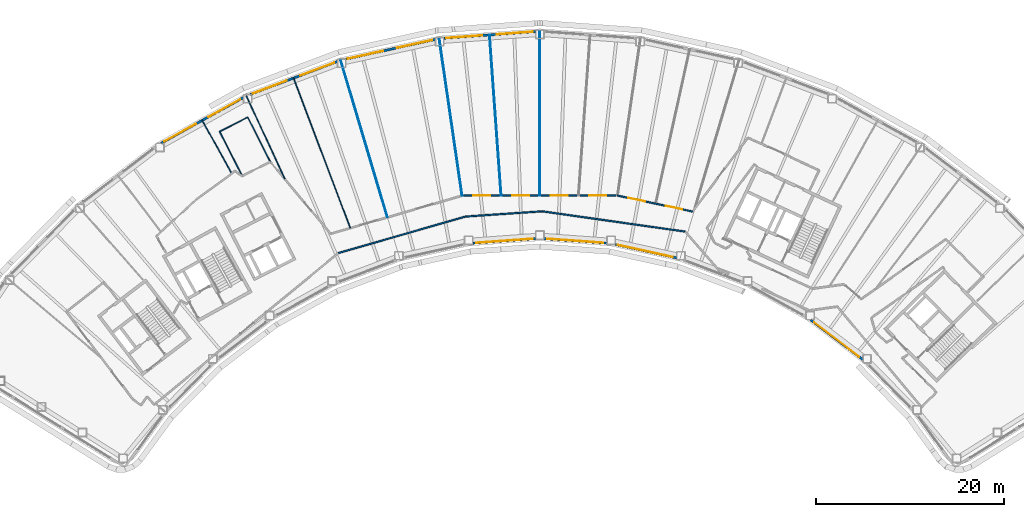
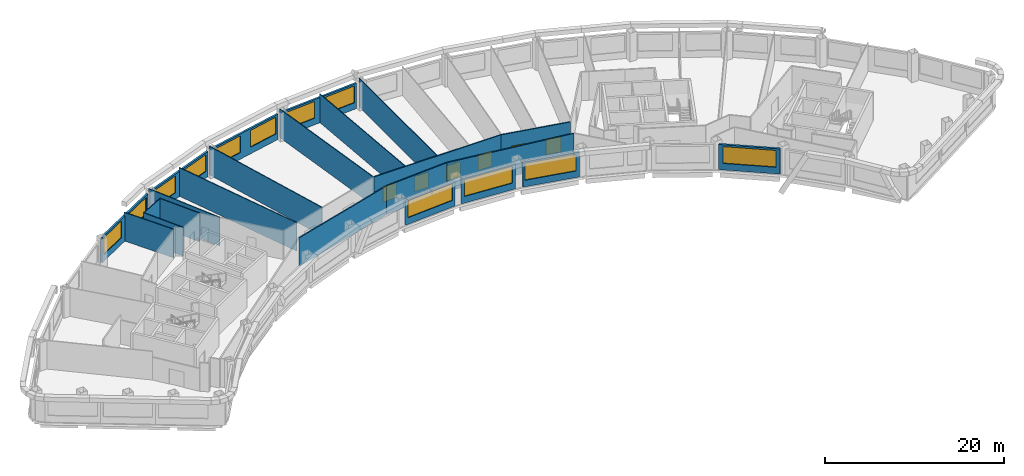
# One storey, part 7 of 14: 23 walls, 12 windows, 6 doors, 18 openings.
"""IFC4 building model written with IfcOpenShell, lengths in metres."""

from ifc_helpers import new_model, si_unit, direction, frame, frame_2d, origin, place, context, subcontext, project, spatial, rectangle, extrude, material, layer, layer_set, type_object, element, fill, save


model = new_model("IFC4")

# Units and contexts
model_context = context("Model", 3, precision=1e-05, world=origin(), true_north=direction((0.0, 1.0)))
body_context = subcontext(model_context, "Body", "Model", "MODEL_VIEW")
ifc_project = project(units=[si_unit("LENGTHUNIT", "METRE"), si_unit("AREAUNIT", "SQUARE_METRE"), si_unit("VOLUMEUNIT", "CUBIC_METRE"), si_unit("PLANEANGLEUNIT", "RADIAN"), si_unit("MASSUNIT", "GRAM", prefix="KILO")], contexts=[model_context])

# Site, building, storey
site_placement = place(None, origin())
site = spatial("IfcSite", under=ifc_project, at=site_placement, CompositionType="ELEMENT")
building_placement = place(site_placement, origin())
building = spatial("IfcBuilding", under=site, at=building_placement, Name="Tuul Gate Civic Tower", CompositionType="ELEMENT")
storey_placement = place(building_placement, frame((0.0, 0.0, 213.699951171875)))
storey = spatial("IfcBuildingStorey", under=building, at=storey_placement, Name="Level 48", CompositionType="ELEMENT", Elevation=213.699951171875)

# Wall, openings, doors
ifc_material_1 = material(Name="Gypsum board partition")
ifc_layer_1 = layer(ifc_material_1, 0.14990234375)
ifc_layer_set_1 = layer_set([ifc_layer_1], Name="Gypsum board partition")
wall_type_1 = type_object("IfcWallType", Name="Corridor wall P150", PredefinedType="PARTITIONING", material=ifc_layer_set_1)
wall_1_placement = place(storey_placement, frame((14.160400390625, 1.426513671875, 0.0), z_axis=(0.0, 0.0, 1.0), x_axis=(0.978230636286, -0.207520654953, 0.0)))
wall_1 = element("IfcWall", 1, at=wall_1_placement, inside=storey, type_object=wall_type_1, Name="p028", PredefinedType="PARTITIONING", context=body_context, shape_type="SweptSolid", body=[
    extrude(rectangle(XDim=8.1787109375, YDim=0.14990234375, at=frame_2d((4.08935546875, 0.0))), origin(), (0.0, 0.0, 1.0), 3.900146484375),
])
opening_1_placement = place(wall_1_placement, frame((5.283447265625, 0.0, 0.0)))
opening_1 = element("IfcOpeningElement", 2, at=opening_1_placement, cuts=wall_1, Name="Opening Q-D07", PredefinedType="OPENING", context=body_context, shape_type="SweptSolid", body=[
    extrude(rectangle(XDim=1.800048828125, YDim=2.10009765625, at=frame_2d((0.89990234375, 1.050048828125))), frame((0.0, 0.0849609375, 0.0), z_axis=(0.0, -1.0, 0.0), x_axis=(1.0, 0.0, 0.0)), (0.0, 0.0, 1.0), 0.169921875),
])
opening_2_placement = place(wall_1_placement, frame((1.216552734375, 0.0, 0.0)))
opening_2 = element("IfcOpeningElement", 3, at=opening_2_placement, cuts=wall_1, Name="Opening Q-D08", PredefinedType="OPENING", context=body_context, shape_type="SweptSolid", body=[
    extrude(rectangle(XDim=1.800048828125, YDim=2.10009765625, at=frame_2d((0.89990234375, 1.050048828125))), frame((0.0, 0.0849609375, 0.0), z_axis=(0.0, -1.0, 0.0), x_axis=(1.0, 0.0, 0.0)), (0.0, 0.0, 1.0), 0.169921875),
])
ifc_material_2 = material(Name="Timber door leaf, double", Category="wood")
door_type = type_object("IfcDoorType", Name="Door D18", OperationType="DOUBLE_DOOR_SINGLE_SWING", PredefinedType="DOOR", material=ifc_material_2)
door_1_placement = place(opening_1_placement, origin())
door_1 = element("IfcDoor", 4, at=door_1_placement, inside=storey, type_object=door_type, Name="Door Q-D07", OperationType="DOUBLE_DOOR_SINGLE_SWING", OverallHeight=2.10009765625, OverallWidth=1.800048828125, PredefinedType="DOOR", context=body_context, shape_type="SweptSolid", body=[
    extrude(rectangle(XDim=1.800048828125, YDim=2.10009765625, at=frame_2d((0.89990234375, 1.050048828125))), frame((0.0, 0.02490234375, 0.0), z_axis=(0.0, -1.0, 0.0), x_axis=(1.0, 0.0, 0.0)), (0.0, 0.0, 1.0), 0.050048828125),
])
fill(opening_1, door_1)
door_2_placement = place(opening_2_placement, origin())
door_2 = element("IfcDoor", 5, at=door_2_placement, inside=storey, type_object=door_type, Name="Door Q-D08", OperationType="DOUBLE_DOOR_SINGLE_SWING", OverallHeight=2.10009765625, OverallWidth=1.800048828125, PredefinedType="DOOR", context=body_context, shape_type="SweptSolid", body=[
    extrude(rectangle(XDim=1.800048828125, YDim=2.10009765625, at=frame_2d((0.89990234375, 1.050048828125))), frame((0.0, 0.02490234375, 0.0), z_axis=(0.0, -1.0, 0.0), x_axis=(1.0, 0.0, 0.0)), (0.0, 0.0, 1.0), 0.050048828125),
])
fill(opening_2, door_2)

wall_2_placement = place(storey_placement, frame((-2.283203125, 1.4267578125, 0.0), z_axis=(0.0, 0.0, 1.0), x_axis=(1.0, 0.0, 0.0)))
wall_2 = element("IfcWall", 6, at=wall_2_placement, inside=storey, type_object=wall_type_1, Name="p031", PredefinedType="PARTITIONING", context=body_context, shape_type="SweptSolid", body=[
    extrude(rectangle(XDim=16.4423828125, YDim=0.14990234375, at=frame_2d((8.22119140625, 0.0))), origin(), (0.0, 0.0, 1.0), 3.900146484375),
])
opening_3_placement = place(wall_2_placement, frame((13.48828125, 0.0, 0.0)))
opening_3 = element("IfcOpeningElement", 7, at=opening_3_placement, cuts=wall_2, Name="Opening Q-D09", PredefinedType="OPENING", context=body_context, shape_type="SweptSolid", body=[
    extrude(rectangle(XDim=1.800048828125, YDim=2.10009765625, at=frame_2d((0.89990234375, 1.050048828125))), frame((0.0, 0.0849609375, 0.0), z_axis=(0.0, -1.0, 0.0), x_axis=(1.0, 0.0, 0.0)), (0.0, 0.0, 1.0), 0.169921875),
])
opening_4_placement = place(wall_2_placement, frame((9.378662109375, 0.0, 0.0)))
opening_4 = element("IfcOpeningElement", 8, at=opening_4_placement, cuts=wall_2, Name="Opening Q-D10", PredefinedType="OPENING", context=body_context, shape_type="SweptSolid", body=[
    extrude(rectangle(XDim=1.800048828125, YDim=2.10009765625, at=frame_2d((0.89990234375, 1.050048828125))), frame((0.0, 0.0849609375, 0.0), z_axis=(0.0, -1.0, 0.0), x_axis=(1.0, 0.0, 0.0)), (0.0, 0.0, 1.0), 0.169921875),
])
opening_5_placement = place(wall_2_placement, frame((5.267333984375, 0.0, 0.0)))
opening_5 = element("IfcOpeningElement", 9, at=opening_5_placement, cuts=wall_2, Name="Opening Q-D11", PredefinedType="OPENING", context=body_context, shape_type="SweptSolid", body=[
    extrude(rectangle(XDim=1.800048828125, YDim=2.10009765625, at=frame_2d((0.89990234375, 1.050048828125))), frame((0.0, 0.0849609375, 0.0), z_axis=(0.0, -1.0, 0.0), x_axis=(1.0, 0.0, 0.0)), (0.0, 0.0, 1.0), 0.169921875),
])
opening_6_placement = place(wall_2_placement, frame((1.15576171875, 0.0, 0.0)))
opening_6 = element("IfcOpeningElement", 10, at=opening_6_placement, cuts=wall_2, Name="Opening Q-D12", PredefinedType="OPENING", context=body_context, shape_type="SweptSolid", body=[
    extrude(rectangle(XDim=1.800048828125, YDim=2.10009765625, at=frame_2d((0.89990234375, 1.050048828125))), frame((0.0, 0.0849609375, 0.0), z_axis=(0.0, -1.0, 0.0), x_axis=(1.0, 0.0, 0.0)), (0.0, 0.0, 1.0), 0.169921875),
])
door_3_placement = place(opening_3_placement, origin())
door_3 = element("IfcDoor", 11, at=door_3_placement, inside=storey, type_object=door_type, Name="Door Q-D09", OperationType="DOUBLE_DOOR_SINGLE_SWING", OverallHeight=2.10009765625, OverallWidth=1.800048828125, PredefinedType="DOOR", context=body_context, shape_type="SweptSolid", body=[
    extrude(rectangle(XDim=1.800048828125, YDim=2.10009765625, at=frame_2d((0.89990234375, 1.050048828125))), frame((0.0, 0.02490234375, 0.0), z_axis=(0.0, -1.0, 0.0), x_axis=(1.0, 0.0, 0.0)), (0.0, 0.0, 1.0), 0.050048828125),
])
fill(opening_3, door_3)
door_4_placement = place(opening_4_placement, origin())
door_4 = element("IfcDoor", 12, at=door_4_placement, inside=storey, type_object=door_type, Name="Door Q-D10", OperationType="DOUBLE_DOOR_SINGLE_SWING", OverallHeight=2.10009765625, OverallWidth=1.800048828125, PredefinedType="DOOR", context=body_context, shape_type="SweptSolid", body=[
    extrude(rectangle(XDim=1.800048828125, YDim=2.10009765625, at=frame_2d((0.89990234375, 1.050048828125))), frame((0.0, 0.02490234375, 0.0), z_axis=(0.0, -1.0, 0.0), x_axis=(1.0, 0.0, 0.0)), (0.0, 0.0, 1.0), 0.050048828125),
])
fill(opening_4, door_4)
door_5_placement = place(opening_5_placement, origin())
door_5 = element("IfcDoor", 13, at=door_5_placement, inside=storey, type_object=door_type, Name="Door Q-D11", OperationType="DOUBLE_DOOR_SINGLE_SWING", OverallHeight=2.10009765625, OverallWidth=1.800048828125, PredefinedType="DOOR", context=body_context, shape_type="SweptSolid", body=[
    extrude(rectangle(XDim=1.800048828125, YDim=2.10009765625, at=frame_2d((0.89990234375, 1.050048828125))), frame((0.0, 0.02490234375, 0.0), z_axis=(0.0, -1.0, 0.0), x_axis=(1.0, 0.0, 0.0)), (0.0, 0.0, 1.0), 0.050048828125),
])
fill(opening_5, door_5)
door_6_placement = place(opening_6_placement, origin())
door_6 = element("IfcDoor", 14, at=door_6_placement, inside=storey, type_object=door_type, Name="Door Q-D12", OperationType="DOUBLE_DOOR_SINGLE_SWING", OverallHeight=2.10009765625, OverallWidth=1.800048828125, PredefinedType="DOOR", context=body_context, shape_type="SweptSolid", body=[
    extrude(rectangle(XDim=1.800048828125, YDim=2.10009765625, at=frame_2d((0.89990234375, 1.050048828125))), frame((0.0, 0.02490234375, 0.0), z_axis=(0.0, -1.0, 0.0), x_axis=(1.0, 0.0, 0.0)), (0.0, 0.0, 1.0), 0.050048828125),
])
fill(opening_6, door_6)

# Walls
wall_3_placement = place(storey_placement, frame((-15.473876953125, -4.677734375, 0.0), z_axis=(0.0, 0.0, 1.0), x_axis=(0.961325077695, 0.27541622137, 0.0)))
element("IfcWall", 15, at=wall_3_placement, inside=storey, type_object=wall_type_1, Name="p067", PredefinedType="PARTITIONING", context=body_context, shape_type="SweptSolid", body=[
    extrude(rectangle(XDim=14.054443359375, YDim=0.14990234375, at=frame_2d((7.02734375, 0.0))), origin(), (0.0, 0.0, 1.0), 3.900146484375),
])
wall_4_placement = place(storey_placement, frame((-1.958740234375, -0.806396484375, 0.0), z_axis=(0.0, 0.0, 1.0), x_axis=(0.997683784998, 0.068022534144, 0.0)))
element("IfcWall", 16, at=wall_4_placement, inside=storey, type_object=wall_type_1, Name="p068", PredefinedType="PARTITIONING", context=body_context, shape_type="SweptSolid", body=[
    extrude(rectangle(XDim=8.157958984375, YDim=0.14990234375, at=frame_2d((4.0791015625, 0.0))), origin(), (0.0, 0.0, 1.0), 3.900146484375),
])
wall_5_placement = place(storey_placement, frame((6.1845703125, -0.251708984375, 0.0), z_axis=(0.0, 0.0, 1.0), x_axis=(0.990098741202, -0.140372656418, 0.0)))
element("IfcWall", 17, at=wall_5_placement, inside=storey, type_object=wall_type_1, Name="p069", PredefinedType="PARTITIONING", context=body_context, shape_type="SweptSolid", body=[
    extrude(rectangle(XDim=15.352294921875, YDim=0.14990234375, at=frame_2d((7.67626953125, 0.0))), origin(), (0.0, 0.0, 1.0), 3.900146484375),
])

# Wall, openings, windows
ifc_material_3 = material(Name="Precast concrete C40/50", Category="concrete")
ifc_layer_2 = layer(ifc_material_3, 0.25)
ifc_layer_set_2 = layer_set([ifc_layer_2], Name="Precast concrete C40/50")
wall_type_2 = type_object("IfcWallType", Name="External wall", PredefinedType="STANDARD", material=ifc_layer_set_2)
wall_6_placement = place(storey_placement, frame((5.489990234375, 18.859130859375, 0.0), z_axis=(0.0, 0.0, 1.0), x_axis=(-0.997381037504, -0.07232610889, 0.0)))
wall_6 = element("IfcWall", 18, at=wall_6_placement, inside=storey, type_object=wall_type_2, Name="External wall", PredefinedType="STANDARD", context=body_context, shape_type="SweptSolid", body=[
    extrude(rectangle(XDim=9.775634765625, YDim=0.25, at=frame_2d((4.8876953125, 0.0))), origin(), (0.0, 0.0, 1.0), 3.449951171875),
])
opening_7_placement = place(wall_6_placement, frame((0.300537109375, 0.0, 0.89990234375)))
opening_7 = element("IfcOpeningElement", 19, at=opening_7_placement, cuts=wall_6, Name="Opening W22", PredefinedType="OPENING", context=body_context, shape_type="SweptSolid", body=[
    extrude(rectangle(XDim=3.85009765625, YDim=2.300048828125, at=frame_2d((1.925048828125, 1.14990234375))), frame((0.0, 0.135009765625, 0.0), z_axis=(0.0, -1.0, 0.0), x_axis=(1.0, 0.0, 0.0)), (0.0, 0.0, 1.0), 0.27001953125),
])
opening_8_placement = place(wall_6_placement, frame((5.672119140625, 0.0, 0.89990234375)))
opening_8 = element("IfcOpeningElement", 20, at=opening_8_placement, cuts=wall_6, Name="Opening W22", PredefinedType="OPENING", context=body_context, shape_type="SweptSolid", body=[
    extrude(rectangle(XDim=3.85009765625, YDim=2.300048828125, at=frame_2d((1.925048828125, 1.14990234375))), frame((0.0, 0.135009765625, 0.0), z_axis=(0.0, -1.0, 0.0), x_axis=(1.0, 0.0, 0.0)), (0.0, 0.0, 1.0), 0.27001953125),
])
ifc_material_4 = material(Name="Glass", Category="glass")
window_type_1 = type_object("IfcWindowType", Name="Window W22 3850 x 2300", PartitioningType="SINGLE_PANEL", PredefinedType="WINDOW", material=ifc_material_4)
window_1_placement = place(opening_7_placement, origin())
window_1 = element("IfcWindow", 21, at=window_1_placement, inside=storey, type_object=window_type_1, Name="Window", OverallHeight=2.300048828125, OverallWidth=3.85009765625, PartitioningType="SINGLE_PANEL", PredefinedType="WINDOW", context=body_context, shape_type="SweptSolid", body=[
    extrude(rectangle(XDim=3.85009765625, YDim=2.300048828125, at=frame_2d((1.925048828125, 1.14990234375))), frame((0.0, 0.030029296875, 0.0), z_axis=(0.0, -1.0, 0.0), x_axis=(1.0, 0.0, 0.0)), (0.0, 0.0, 1.0), 0.06005859375),
])
fill(opening_7, window_1)
window_2_placement = place(opening_8_placement, origin())
window_2 = element("IfcWindow", 22, at=window_2_placement, inside=storey, type_object=window_type_1, Name="Window", OverallHeight=2.300048828125, OverallWidth=3.85009765625, PartitioningType="SINGLE_PANEL", PredefinedType="WINDOW", context=body_context, shape_type="SweptSolid", body=[
    extrude(rectangle(XDim=3.85009765625, YDim=2.300048828125, at=frame_2d((1.925048828125, 1.14990234375))), frame((0.0, 0.030029296875, 0.0), z_axis=(0.0, -1.0, 0.0), x_axis=(1.0, 0.0, 0.0)), (0.0, 0.0, 1.0), 0.06005859375),
])
fill(opening_8, window_2)

wall_7_placement = place(storey_placement, frame((-5.159912109375, 18.027099609375, 0.0), z_axis=(0.0, 0.0, 1.0), x_axis=(-0.976565945411, -0.215218387375, 0.0)))
wall_7 = element("IfcWall", 23, at=wall_7_placement, inside=storey, type_object=wall_type_2, Name="External wall", PredefinedType="STANDARD", context=body_context, shape_type="SweptSolid", body=[
    extrude(rectangle(XDim=9.755615234375, YDim=0.25, at=frame_2d((4.8779296875, 0.0))), origin(), (0.0, 0.0, 1.0), 3.449951171875),
])
opening_9_placement = place(wall_7_placement, frame((0.3388671875, 0.0, 0.89990234375)))
opening_9 = element("IfcOpeningElement", 24, at=opening_9_placement, cuts=wall_7, Name="Opening W22", PredefinedType="OPENING", context=body_context, shape_type="SweptSolid", body=[
    extrude(rectangle(XDim=3.85009765625, YDim=2.300048828125, at=frame_2d((1.925048828125, 1.14990234375))), frame((0.0, 0.135009765625, 0.0), z_axis=(0.0, -1.0, 0.0), x_axis=(1.0, 0.0, 0.0)), (0.0, 0.0, 1.0), 0.27001953125),
])
opening_10_placement = place(wall_7_placement, frame((5.710205078125, 0.0, 0.89990234375)))
opening_10 = element("IfcOpeningElement", 25, at=opening_10_placement, cuts=wall_7, Name="Opening W22", PredefinedType="OPENING", context=body_context, shape_type="SweptSolid", body=[
    extrude(rectangle(XDim=3.85009765625, YDim=2.300048828125, at=frame_2d((1.925048828125, 1.14990234375))), frame((0.0, 0.135009765625, 0.0), z_axis=(0.0, -1.0, 0.0), x_axis=(1.0, 0.0, 0.0)), (0.0, 0.0, 1.0), 0.27001953125),
])
window_3_placement = place(opening_9_placement, origin())
window_3 = element("IfcWindow", 26, at=window_3_placement, inside=storey, type_object=window_type_1, Name="Window", OverallHeight=2.300048828125, OverallWidth=3.85009765625, PartitioningType="SINGLE_PANEL", PredefinedType="WINDOW", context=body_context, shape_type="SweptSolid", body=[
    extrude(rectangle(XDim=3.85009765625, YDim=2.300048828125, at=frame_2d((1.925048828125, 1.14990234375))), frame((0.0, 0.030029296875, 0.0), z_axis=(0.0, -1.0, 0.0), x_axis=(1.0, 0.0, 0.0)), (0.0, 0.0, 1.0), 0.06005859375),
])
fill(opening_9, window_3)
window_4_placement = place(opening_10_placement, origin())
window_4 = element("IfcWindow", 27, at=window_4_placement, inside=storey, type_object=window_type_1, Name="Window", OverallHeight=2.300048828125, OverallWidth=3.85009765625, PartitioningType="SINGLE_PANEL", PredefinedType="WINDOW", context=body_context, shape_type="SweptSolid", body=[
    extrude(rectangle(XDim=3.85009765625, YDim=2.300048828125, at=frame_2d((1.925048828125, 1.14990234375))), frame((0.0, 0.030029296875, 0.0), z_axis=(0.0, -1.0, 0.0), x_axis=(1.0, 0.0, 0.0)), (0.0, 0.0, 1.0), 0.06005859375),
])
fill(opening_10, window_4)

wall_8_placement = place(storey_placement, frame((-15.5869140625, 15.673095703125, 0.0), z_axis=(0.0, 0.0, 1.0), x_axis=(-0.935372856453, -0.353663143981, 0.0)))
wall_8 = element("IfcWall", 28, at=wall_8_placement, inside=storey, type_object=wall_type_2, Name="External wall", PredefinedType="STANDARD", context=body_context, shape_type="SweptSolid", body=[
    extrude(rectangle(XDim=9.908203125, YDim=0.25, at=frame_2d((4.9541015625, 0.0))), origin(), (0.0, 0.0, 1.0), 3.449951171875),
])
opening_11_placement = place(wall_8_placement, frame((0.3701171875, 0.0, 0.89990234375)))
opening_11 = element("IfcOpeningElement", 29, at=opening_11_placement, cuts=wall_8, Name="Opening W22", PredefinedType="OPENING", context=body_context, shape_type="SweptSolid", body=[
    extrude(rectangle(XDim=3.85009765625, YDim=2.300048828125, at=frame_2d((1.925048828125, 1.14990234375))), frame((0.0, 0.135009765625, 0.0), z_axis=(0.0, -1.0, 0.0), x_axis=(1.0, 0.0, 0.0)), (0.0, 0.0, 1.0), 0.27001953125),
])
opening_12_placement = place(wall_8_placement, frame((5.7412109375, 0.0, 0.89990234375)))
opening_12 = element("IfcOpeningElement", 30, at=opening_12_placement, cuts=wall_8, Name="Opening W22", PredefinedType="OPENING", context=body_context, shape_type="SweptSolid", body=[
    extrude(rectangle(XDim=3.85009765625, YDim=2.300048828125, at=frame_2d((1.925048828125, 1.14990234375))), frame((0.0, 0.135009765625, 0.0), z_axis=(0.0, -1.0, 0.0), x_axis=(1.0, 0.0, 0.0)), (0.0, 0.0, 1.0), 0.27001953125),
])
window_5_placement = place(opening_11_placement, origin())
window_5 = element("IfcWindow", 31, at=window_5_placement, inside=storey, type_object=window_type_1, Name="Window", OverallHeight=2.300048828125, OverallWidth=3.85009765625, PartitioningType="SINGLE_PANEL", PredefinedType="WINDOW", context=body_context, shape_type="SweptSolid", body=[
    extrude(rectangle(XDim=3.85009765625, YDim=2.300048828125, at=frame_2d((1.925048828125, 1.14990234375))), frame((0.0, 0.030029296875, 0.0), z_axis=(0.0, -1.0, 0.0), x_axis=(1.0, 0.0, 0.0)), (0.0, 0.0, 1.0), 0.06005859375),
])
fill(opening_11, window_5)
window_6_placement = place(opening_12_placement, origin())
window_6 = element("IfcWindow", 32, at=window_6_placement, inside=storey, type_object=window_type_1, Name="Window", OverallHeight=2.300048828125, OverallWidth=3.85009765625, PartitioningType="SINGLE_PANEL", PredefinedType="WINDOW", context=body_context, shape_type="SweptSolid", body=[
    extrude(rectangle(XDim=3.85009765625, YDim=2.300048828125, at=frame_2d((1.925048828125, 1.14990234375))), frame((0.0, 0.030029296875, 0.0), z_axis=(0.0, -1.0, 0.0), x_axis=(1.0, 0.0, 0.0)), (0.0, 0.0, 1.0), 0.06005859375),
])
fill(opening_12, window_6)

wall_9_placement = place(storey_placement, frame((-25.573974609375, 11.842041015625, 0.0), z_axis=(0.0, 0.0, 1.0), x_axis=(-0.87460251425, -0.484840635743, 0.0)))
wall_9 = element("IfcWall", 33, at=wall_9_placement, inside=storey, type_object=wall_type_2, Name="External wall", PredefinedType="STANDARD", context=body_context, shape_type="SweptSolid", body=[
    extrude(rectangle(XDim=10.00146484375, YDim=0.25, at=frame_2d((5.000732421875, 0.0))), origin(), (0.0, 0.0, 1.0), 3.449951171875),
])
opening_13_placement = place(wall_9_placement, frame((0.393798828125, 0.0, 0.89990234375)))
opening_13 = element("IfcOpeningElement", 34, at=opening_13_placement, cuts=wall_9, Name="Opening W22", PredefinedType="OPENING", context=body_context, shape_type="SweptSolid", body=[
    extrude(rectangle(XDim=3.85009765625, YDim=2.300048828125, at=frame_2d((1.925048828125, 1.14990234375))), frame((0.0, 0.135009765625, 0.0), z_axis=(0.0, -1.0, 0.0), x_axis=(1.0, 0.0, 0.0)), (0.0, 0.0, 1.0), 0.27001953125),
])
opening_14_placement = place(wall_9_placement, frame((5.764892578125, 0.0, 0.89990234375)))
opening_14 = element("IfcOpeningElement", 35, at=opening_14_placement, cuts=wall_9, Name="Opening W22", PredefinedType="OPENING", context=body_context, shape_type="SweptSolid", body=[
    extrude(rectangle(XDim=3.85009765625, YDim=2.300048828125, at=frame_2d((1.925048828125, 1.14990234375))), frame((0.0, 0.135009765625, 0.0), z_axis=(0.0, -1.0, 0.0), x_axis=(1.0, 0.0, 0.0)), (0.0, 0.0, 1.0), 0.27001953125),
])
window_7_placement = place(opening_13_placement, origin())
window_7 = element("IfcWindow", 36, at=window_7_placement, inside=storey, type_object=window_type_1, Name="Window", OverallHeight=2.300048828125, OverallWidth=3.85009765625, PartitioningType="SINGLE_PANEL", PredefinedType="WINDOW", context=body_context, shape_type="SweptSolid", body=[
    extrude(rectangle(XDim=3.85009765625, YDim=2.300048828125, at=frame_2d((1.925048828125, 1.14990234375))), frame((0.0, 0.030029296875, 0.0), z_axis=(0.0, -1.0, 0.0), x_axis=(1.0, 0.0, 0.0)), (0.0, 0.0, 1.0), 0.06005859375),
])
fill(opening_13, window_7)
window_8_placement = place(opening_14_placement, origin())
window_8 = element("IfcWindow", 37, at=window_8_placement, inside=storey, type_object=window_type_1, Name="Window", OverallHeight=2.300048828125, OverallWidth=3.85009765625, PartitioningType="SINGLE_PANEL", PredefinedType="WINDOW", context=body_context, shape_type="SweptSolid", body=[
    extrude(rectangle(XDim=3.85009765625, YDim=2.300048828125, at=frame_2d((1.925048828125, 1.14990234375))), frame((0.0, 0.030029296875, 0.0), z_axis=(0.0, -1.0, 0.0), x_axis=(1.0, 0.0, 0.0)), (0.0, 0.0, 1.0), 0.06005859375),
])
fill(opening_14, window_8)

# Wall, opening, window
wall_10_placement = place(storey_placement, frame((-1.181884765625, -3.6318359375, 0.0), z_axis=(0.0, 0.0, 1.0), x_axis=(0.997393444125, 0.072154817002, 0.0)))
wall_10 = element("IfcWall", 38, at=wall_10_placement, inside=storey, type_object=wall_type_2, Name="External wall", PredefinedType="STANDARD", context=body_context, shape_type="SweptSolid", body=[
    extrude(rectangle(XDim=6.689208984375, YDim=0.25, at=frame_2d((3.3447265625, 0.0))), origin(), (0.0, 0.0, 1.0), 3.449951171875),
])
opening_15_placement = place(wall_10_placement, frame((0.3681640625, 0.0, 0.89990234375)))
opening_15 = element("IfcOpeningElement", 39, at=opening_15_placement, cuts=wall_10, Name="Opening W26", PredefinedType="OPENING", context=body_context, shape_type="SweptSolid", body=[
    extrude(rectangle(XDim=6.0, YDim=2.300048828125, at=frame_2d((3.0, 1.14990234375))), frame((0.0, 0.135009765625, 0.0), z_axis=(0.0, -1.0, 0.0), x_axis=(1.0, 0.0, 0.0)), (0.0, 0.0, 1.0), 0.27001953125),
])
ifc_material_5 = material(Name="Glass", Category="glass")
window_type_2 = type_object("IfcWindowType", Name="Window W26 6000 x 2300", PartitioningType="SINGLE_PANEL", PredefinedType="WINDOW", material=ifc_material_5)
window_9_placement = place(opening_15_placement, origin())
window_9 = element("IfcWindow", 40, at=window_9_placement, inside=storey, type_object=window_type_2, Name="Window", OverallHeight=2.300048828125, OverallWidth=6.0, PartitioningType="SINGLE_PANEL", PredefinedType="WINDOW", context=body_context, shape_type="SweptSolid", body=[
    extrude(rectangle(XDim=6.0, YDim=2.300048828125, at=frame_2d((3.0, 1.14990234375))), frame((0.0, 0.030029296875, 0.0), z_axis=(0.0, -1.0, 0.0), x_axis=(1.0, 0.0, 0.0)), (0.0, 0.0, 1.0), 0.06005859375),
])
fill(opening_15, window_9)

wall_11_placement = place(storey_placement, frame((6.389892578125, -3.149169921875, 0.0), z_axis=(0.0, 0.0, 1.0), x_axis=(0.99739363413, -0.072152190518, 0.0)))
wall_11 = element("IfcWall", 41, at=wall_11_placement, inside=storey, type_object=wall_type_2, Name="External wall", PredefinedType="STANDARD", context=body_context, shape_type="SweptSolid", body=[
    extrude(rectangle(XDim=6.689453125, YDim=0.25, at=frame_2d((3.3447265625, 0.0))), origin(), (0.0, 0.0, 1.0), 3.449951171875),
])
opening_16_placement = place(wall_11_placement, frame((0.3212890625, 0.0, 0.89990234375)))
opening_16 = element("IfcOpeningElement", 42, at=opening_16_placement, cuts=wall_11, Name="Opening W26", PredefinedType="OPENING", context=body_context, shape_type="SweptSolid", body=[
    extrude(rectangle(XDim=6.0, YDim=2.300048828125, at=frame_2d((3.0, 1.14990234375))), frame((0.0, 0.135009765625, 0.0), z_axis=(0.0, -1.0, 0.0), x_axis=(1.0, 0.0, 0.0)), (0.0, 0.0, 1.0), 0.27001953125),
])
window_10_placement = place(opening_16_placement, origin())
window_10 = element("IfcWindow", 43, at=window_10_placement, inside=storey, type_object=window_type_2, Name="Window", OverallHeight=2.300048828125, OverallWidth=6.0, PartitioningType="SINGLE_PANEL", PredefinedType="WINDOW", context=body_context, shape_type="SweptSolid", body=[
    extrude(rectangle(XDim=6.0, YDim=2.300048828125, at=frame_2d((3.0, 1.14990234375))), frame((0.0, 0.030029296875, 0.0), z_axis=(0.0, -1.0, 0.0), x_axis=(1.0, 0.0, 0.0)), (0.0, 0.0, 1.0), 0.06005859375),
])
fill(opening_16, window_10)

wall_12_placement = place(storey_placement, frame((13.9619140625, -3.7705078125, 0.0), z_axis=(0.0, 0.0, 1.0), x_axis=(0.976561126712, -0.215240251333, 0.0)))
wall_12 = element("IfcWall", 44, at=wall_12_placement, inside=storey, type_object=wall_type_2, Name="External wall", PredefinedType="STANDARD", context=body_context, shape_type="SweptSolid", body=[
    extrude(rectangle(XDim=6.66943359375, YDim=0.25, at=frame_2d((3.334716796875, 0.0))), origin(), (0.0, 0.0, 1.0), 3.449951171875),
])
opening_17_placement = place(wall_12_placement, frame((0.263427734375, 0.0, 0.89990234375)))
opening_17 = element("IfcOpeningElement", 45, at=opening_17_placement, cuts=wall_12, Name="Opening W26", PredefinedType="OPENING", context=body_context, shape_type="SweptSolid", body=[
    extrude(rectangle(XDim=6.0, YDim=2.300048828125, at=frame_2d((3.0, 1.14990234375))), frame((0.0, 0.135009765625, 0.0), z_axis=(0.0, -1.0, 0.0), x_axis=(1.0, 0.0, 0.0)), (0.0, 0.0, 1.0), 0.27001953125),
])
window_11_placement = place(opening_17_placement, origin())
window_11 = element("IfcWindow", 46, at=window_11_placement, inside=storey, type_object=window_type_2, Name="Window", OverallHeight=2.300048828125, OverallWidth=6.0, PartitioningType="SINGLE_PANEL", PredefinedType="WINDOW", context=body_context, shape_type="SweptSolid", body=[
    extrude(rectangle(XDim=6.0, YDim=2.300048828125, at=frame_2d((3.0, 1.14990234375))), frame((0.0, 0.030029296875, 0.0), z_axis=(0.0, -1.0, 0.0), x_axis=(1.0, 0.0, 0.0)), (0.0, 0.0, 1.0), 0.06005859375),
])
fill(opening_17, window_11)

wall_13_placement = place(storey_placement, frame((34.72216796875, -11.7890625, 0.0), z_axis=(0.0, 0.0, 1.0), x_axis=(0.795585585463, -0.605841213688, 0.0)))
wall_13 = element("IfcWall", 47, at=wall_13_placement, inside=storey, type_object=wall_type_2, Name="External wall", PredefinedType="STANDARD", context=body_context, shape_type="SweptSolid", body=[
    extrude(rectangle(XDim=6.955810546875, YDim=0.25, at=frame_2d((3.47802734375, 0.0))), origin(), (0.0, 0.0, 1.0), 3.449951171875),
])
opening_18_placement = place(wall_13_placement, frame((0.478759765625, 0.0, 0.89990234375)))
opening_18 = element("IfcOpeningElement", 48, at=opening_18_placement, cuts=wall_13, Name="Opening W26", PredefinedType="OPENING", context=body_context, shape_type="SweptSolid", body=[
    extrude(rectangle(XDim=6.0, YDim=2.300048828125, at=frame_2d((3.0, 1.14990234375))), frame((0.0, 0.135009765625, 0.0), z_axis=(0.0, -1.0, 0.0), x_axis=(1.0, 0.0, 0.0)), (0.0, 0.0, 1.0), 0.27001953125),
])
window_12_placement = place(opening_18_placement, origin())
window_12 = element("IfcWindow", 49, at=window_12_placement, inside=storey, type_object=window_type_2, Name="Window", OverallHeight=2.300048828125, OverallWidth=6.0, PartitioningType="SINGLE_PANEL", PredefinedType="WINDOW", context=body_context, shape_type="SweptSolid", body=[
    extrude(rectangle(XDim=6.0, YDim=2.300048828125, at=frame_2d((3.0, 1.14990234375))), frame((0.0, 0.030029296875, 0.0), z_axis=(0.0, -1.0, 0.0), x_axis=(1.0, 0.0, 0.0)), (0.0, 0.0, 1.0), 0.06005859375),
])
fill(opening_18, window_12)

# Walls
ifc_material_6 = material(Name="Gypsum board partition")
ifc_layer_3 = layer(ifc_material_6, 0.10009765625)
ifc_layer_set_3 = layer_set([ifc_layer_3], Name="Gypsum board partition")
wall_type_3 = type_object("IfcWallType", Name="Partition P100", PredefinedType="PARTITIONING", material=ifc_layer_set_3)
wall_14_placement = place(storey_placement, frame((5.939697265625, 1.4267578125, 0.0), z_axis=(0.0, 0.0, 1.0), x_axis=(0.0, 1.0, 0.0)))
element("IfcWall", 50, at=wall_14_placement, inside=storey, type_object=wall_type_3, Name="p032", PredefinedType="PARTITIONING", context=body_context, shape_type="SweptSolid", body=[
    extrude(rectangle(XDim=17.469970703125, YDim=0.10009765625, at=frame_2d((8.73486328125, 0.0))), origin(), (0.0, 0.0, 1.0), 3.900146484375),
])
wall_15_placement = place(storey_placement, frame((0.591064453125, 18.5087890625, 0.0), z_axis=(0.0, 0.0, 1.0), x_axis=(0.072243844527, -0.997386999578, 0.0)))
element("IfcWall", 51, at=wall_15_placement, inside=storey, type_object=wall_type_3, Name="p033", PredefinedType="PARTITIONING", context=body_context, shape_type="SweptSolid", body=[
    extrude(rectangle(XDim=17.126708984375, YDim=0.10009765625, at=frame_2d((8.5634765625, 0.0))), origin(), (0.0, 0.0, 1.0), 3.900146484375),
])
wall_16_placement = place(storey_placement, frame((-4.75732421875, 18.12109375, 0.0), z_axis=(0.0, 0.0, 1.0), x_axis=(0.144107467167, -0.989562043485, 0.0)))
element("IfcWall", 52, at=wall_16_placement, inside=storey, type_object=wall_type_3, Name="p034", PredefinedType="PARTITIONING", context=body_context, shape_type="SweptSolid", body=[
    extrude(rectangle(XDim=16.88232421875, YDim=0.10009765625, at=frame_2d((8.441162109375, 0.0))), origin(), (0.0, 0.0, 1.0), 3.900146484375),
])
wall_17_placement = place(storey_placement, frame((-15.231201171875, 15.812744140625, 0.0), z_axis=(0.0, 0.0, 1.0), x_axis=(0.285206858577, -0.958465986783, 0.0)))
element("IfcWall", 53, at=wall_17_placement, inside=storey, type_object=wall_type_3, Name="p036", PredefinedType="PARTITIONING", context=body_context, shape_type="SweptSolid", body=[
    extrude(rectangle(XDim=17.424072265625, YDim=0.10009765625, at=frame_2d((8.7119140625, 0.0))), origin(), (0.0, 0.0, 1.0), 3.900146484375),
])
wall_18_placement = place(storey_placement, frame((-20.247314453125, 13.91650390625, 0.0), z_axis=(0.0, 0.0, 1.0), x_axis=(0.353715416435, -0.935353090643, 0.0)))
element("IfcWall", 54, at=wall_18_placement, inside=storey, type_object=wall_type_3, Name="p037", PredefinedType="PARTITIONING", context=body_context, shape_type="SweptSolid", body=[
    extrude(rectangle(XDim=17.053955078125, YDim=0.10009765625, at=frame_2d((8.52685546875, 0.0))), origin(), (0.0, 0.0, 1.0), 3.900146484375),
])
wall_19_placement = place(storey_placement, frame((-25.26318359375, 12.02001953125, 0.0), z_axis=(0.0, 0.0, 1.0), x_axis=(0.420335096622, -0.907368947313, 0.0)))
element("IfcWall", 55, at=wall_19_placement, inside=storey, type_object=wall_type_3, Name="p039", PredefinedType="PARTITIONING", context=body_context, shape_type="SweptSolid", body=[
    extrude(rectangle(XDim=9.73291015625, YDim=0.10009765625, at=frame_2d((4.866455078125, 0.0))), origin(), (0.0, 0.0, 1.0), 3.900146484375),
])
wall_20_placement = place(storey_placement, frame((-28.105712890625, 8.22412109375, 0.0), z_axis=(0.0, 0.0, 1.0), x_axis=(0.454006597205, -0.890998321937, 0.0)))
element("IfcWall", 56, at=wall_20_placement, inside=storey, type_object=wall_type_3, Name="p042", PredefinedType="PARTITIONING", context=body_context, shape_type="SweptSolid", body=[
    extrude(rectangle(XDim=5.294677734375, YDim=0.10009765625, at=frame_2d((2.6474609375, 0.0))), origin(), (0.0, 0.0, 1.0), 3.900146484375),
])
wall_21_placement = place(storey_placement, frame((-28.105712890625, 8.22412109375, 0.0), z_axis=(0.0, 0.0, 1.0), x_axis=(0.891003885201, 0.453995679007, 0.0)))
element("IfcWall", 57, at=wall_21_placement, inside=storey, type_object=wall_type_3, Name="p043", PredefinedType="PARTITIONING", context=body_context, shape_type="SweptSolid", body=[
    extrude(rectangle(XDim=3.3486328125, YDim=0.10009765625, at=frame_2d((1.67431640625, 0.0))), origin(), (0.0, 0.0, 1.0), 3.900146484375),
])
wall_22_placement = place(storey_placement, frame((-25.1220703125, 9.744384765625, 0.0), z_axis=(0.0, 0.0, 1.0), x_axis=(0.45400846815, -0.890997368598, 0.0)))
element("IfcWall", 58, at=wall_22_placement, inside=storey, type_object=wall_type_3, Name="p044", PredefinedType="PARTITIONING", context=body_context, shape_type="SweptSolid", body=[
    extrude(rectangle(XDim=5.3076171875, YDim=0.10009765625, at=frame_2d((2.65380859375, 0.0))), origin(), (0.0, 0.0, 1.0), 3.900146484375),
])
wall_23_placement = place(storey_placement, frame((-29.95361328125, 9.419921875, 0.0), z_axis=(0.0, 0.0, 1.0), x_axis=(0.484834619648, -0.874605849278, 0.0)))
element("IfcWall", 59, at=wall_23_placement, inside=storey, type_object=wall_type_3, Name="p049", PredefinedType="PARTITIONING", context=body_context, shape_type="SweptSolid", body=[
    extrude(rectangle(XDim=6.464111328125, YDim=0.10009765625, at=frame_2d((3.23193359375, 0.0))), origin(), (0.0, 0.0, 1.0), 3.900146484375),
])

save(model, "model.ifc")
